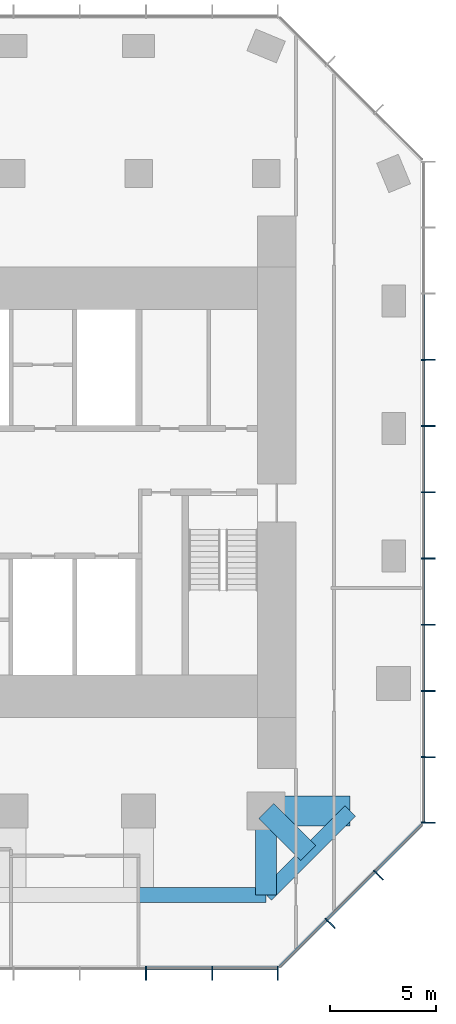
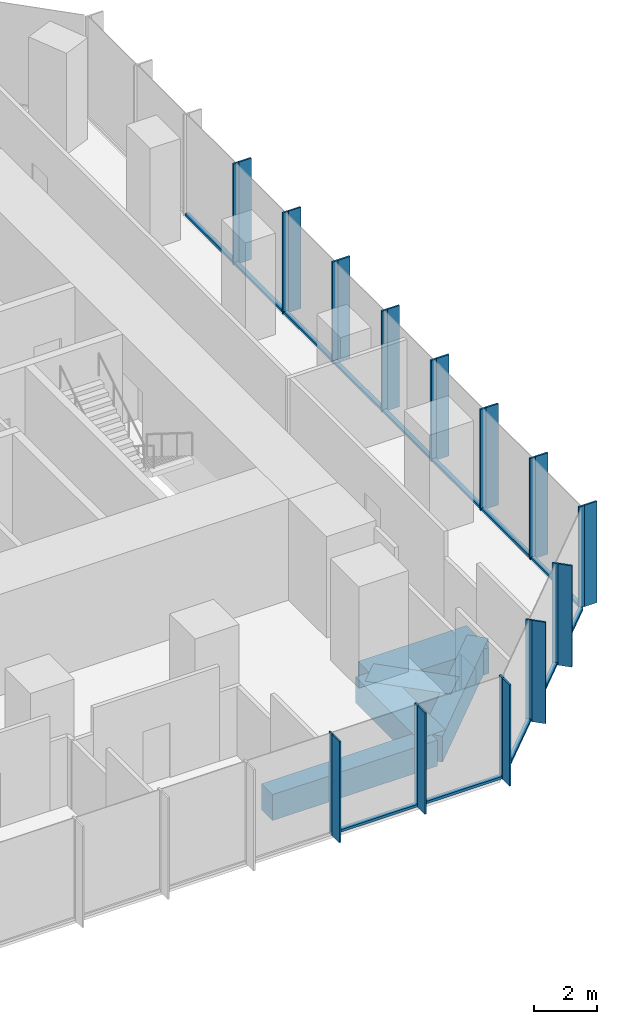
# One storey, part 4 of 11: 39 members, 5 beams, 3 elements without a shape of their own.
"""IFC4 building model written with IfcOpenShell, lengths in metres."""

from ifc_helpers import new_model, si_unit, direction, frame, origin, origin_2d, place, context, subcontext, project, spatial, rectangle, extrude, material, layer, layer_set, material_profile, profile_set, type_object, element, aggregate, save


model = new_model("IFC4")

# Units and contexts
model_context = context("Model", 3, precision=1e-05, world=origin(), true_north=direction((0.0, 1.0)))
body_context = subcontext(model_context, "Body", "Model", "MODEL_VIEW")
ifc_project = project(units=[si_unit("LENGTHUNIT", "METRE"), si_unit("AREAUNIT", "SQUARE_METRE"), si_unit("VOLUMEUNIT", "CUBIC_METRE"), si_unit("PLANEANGLEUNIT", "RADIAN"), si_unit("MASSUNIT", "GRAM", prefix="KILO")], contexts=[model_context])

# Site, building, storey
site_placement = place(None, origin())
site = spatial("IfcSite", under=ifc_project, at=site_placement, CompositionType="ELEMENT")
building_placement = place(site_placement, origin())
building = spatial("IfcBuilding", under=site, at=building_placement, Name="Highveld Stack Headquarters", CompositionType="ELEMENT")
storey_placement = place(building_placement, frame((0.0, 0.0, 224.0)))
storey = spatial("IfcBuildingStorey", under=building, at=storey_placement, Name="L55", CompositionType="ELEMENT", Elevation=224.0)

# Beams
ifc_material_1 = material(Name="Concrete C60/75", Category="concrete")
ifc_material_profile_1 = material_profile(ifc_material_1, rectangle(XDim=1.0, YDim=1.0, at=origin_2d()), Name="RC 1000x1000")
ifc_profile_set_1 = profile_set([ifc_material_profile_1], Name="Concrete C60/75")
beam_type_1 = type_object("IfcBeamType", Name="CANTILEVER RIB RC 1000x1000", PredefinedType="USERDEFINED", material=ifc_profile_set_1)
beam_1_placement = place(storey_placement, frame((18.0, -12.0, -0.75), z_axis=(0.0, -1.0, 0.0), x_axis=(1.0, 0.0, 0.0)))
element("IfcBeam", 1, at=beam_1_placement, inside=storey, type_object=beam_type_1, Name="Cantilever rib 9/C L55", ObjectType="CANTILEVER RIB", PredefinedType="USERDEFINED", context=body_context, shape_type="SweptSolid", body=[
    extrude(rectangle(XDim=1.0, YDim=1.0, at=origin_2d()), origin(), (0.0, 0.0, 1.0), 3.949951171875),
])
beam_2_placement = place(storey_placement, frame((18.0, -12.0, -0.75), z_axis=(0.707106781187, -0.707106781187, 0.0), x_axis=(0.707106781187, 0.707106781187, 0.0)))
element("IfcBeam", 2, at=beam_2_placement, inside=storey, type_object=beam_type_1, Name="Cantilever rib 9/C L55", ObjectType="CANTILEVER RIB", PredefinedType="USERDEFINED", context=body_context, shape_type="SweptSolid", body=[
    extrude(rectangle(XDim=1.0, YDim=1.0, at=origin_2d()), origin(), (0.0, 0.0, 1.0), 2.793212890625),
])
ifc_material_2 = material(Name="Concrete C60/75", Category="concrete")
ifc_material_profile_2 = material_profile(ifc_material_2, rectangle(XDim=1.39990234375, YDim=1.0, at=origin_2d()), Name="RC 1400x1000")
ifc_profile_set_2 = profile_set([ifc_material_profile_2], Name="Concrete C60/75")
beam_type_2 = type_object("IfcBeamType", Name="CANTILEVER RIB RC 1400x1000", PredefinedType="USERDEFINED", material=ifc_profile_set_2)
beam_3_placement = place(storey_placement, frame((18.0, -12.0, -0.75), z_axis=(1.0, 0.0, 0.0), x_axis=(0.0, 1.0, 0.0)))
element("IfcBeam", 3, at=beam_3_placement, inside=storey, type_object=beam_type_2, Name="Cantilever rib 9/C L55", ObjectType="CANTILEVER RIB", PredefinedType="USERDEFINED", context=body_context, shape_type="SweptSolid", body=[
    extrude(rectangle(XDim=1.39990234375, YDim=1.0, at=origin_2d()), origin(), (0.0, 0.0, 1.0), 3.949951171875),
])

# Curtain wall, members
ifc_material_3 = material(Name="Aluminium bronze anodised", Category="aluminium")
ifc_layer_1 = layer(ifc_material_3, 0.199951171875)
ifc_layer_set_1 = layer_set([ifc_layer_1], Name="Aluminium bronze anodised")
curtain_wall_type_1 = type_object("IfcCurtainWallType", Name="CW1 TOWER UNITISED CURTAIN WALL", PredefinedType="NOTDEFINED", material=ifc_layer_set_1)
curtain_wall_1_placement = place(storey_placement, origin())
curtain_wall_1 = element("IfcCurtainWall", 4, at=curtain_wall_1_placement, inside=storey, type_object=curtain_wall_type_1, Name="Curtain wall CW1 L55 S", PredefinedType="NOTDEFINED")
ifc_material_4 = material(Name="Aluminium bronze anodised", Category="aluminium")
ifc_material_profile_3 = material_profile(ifc_material_4, rectangle(XDim=0.449951171875, YDim=0.06005859375, at=origin_2d()), Name="FIN 450x60")
ifc_profile_set_3 = profile_set([ifc_material_profile_3], Name="Aluminium bronze anodised")
member_type_1 = type_object("IfcMemberType", Name="CW1 BRONZE FIN 450x60", PredefinedType="USERDEFINED", material=ifc_profile_set_3)
member_1_placement = place(storey_placement, frame((12.347900390625, -19.72509765625, 0.0), z_axis=(0.0, 0.0, 1.0), x_axis=(0.0, 1.0, 0.0)))
member_1 = element("IfcMember", 5, at=member_1_placement, type_object=member_type_1, Name="CW1 fin L55 9", ObjectType="FIN", PredefinedType="USERDEFINED", context=body_context, shape_type="SweptSolid", body=[
    extrude(rectangle(XDim=0.449951171875, YDim=0.06005859375, at=origin_2d()), origin(), (0.0, 0.0, 1.0), 3.89990234375),
])
member_2_placement = place(storey_placement, frame((15.4638671875, -19.72509765625, 0.0), z_axis=(0.0, 0.0, 1.0), x_axis=(0.0, 1.0, 0.0)))
member_2 = element("IfcMember", 6, at=member_2_placement, type_object=member_type_1, Name="CW1 fin L55 10", ObjectType="FIN", PredefinedType="USERDEFINED", context=body_context, shape_type="SweptSolid", body=[
    extrude(rectangle(XDim=0.449951171875, YDim=0.06005859375, at=origin_2d()), origin(), (0.0, 0.0, 1.0), 3.89990234375),
])
member_3_placement = place(storey_placement, frame((18.54736328125, -19.72509765625, 0.0), z_axis=(0.0, 0.0, 1.0), x_axis=(0.0, 1.0, 0.0)))
member_3 = element("IfcMember", 7, at=member_3_placement, type_object=member_type_1, Name="CW1 fin L55 11", ObjectType="FIN", PredefinedType="USERDEFINED", context=body_context, shape_type="SweptSolid", body=[
    extrude(rectangle(XDim=0.449951171875, YDim=0.06005859375, at=origin_2d()), origin(), (0.0, 0.0, 1.0), 3.89990234375),
])

curtain_wall_2_placement = place(storey_placement, origin())
curtain_wall_2 = element("IfcCurtainWall", 8, at=curtain_wall_2_placement, inside=storey, type_object=curtain_wall_type_1, Name="Curtain wall CW1 L55 E", PredefinedType="NOTDEFINED")
member_4_placement = place(storey_placement, frame((25.72509765625, -12.54736328125, 0.0), z_axis=(0.0, 0.0, 1.0), x_axis=(-1.0, 0.0, 0.0)))
member_4 = element("IfcMember", 9, at=member_4_placement, type_object=member_type_1, Name="CW1 fin L55 1", ObjectType="FIN", PredefinedType="USERDEFINED", context=body_context, shape_type="SweptSolid", body=[
    extrude(rectangle(XDim=0.449951171875, YDim=0.06005859375, at=origin_2d()), origin(), (0.0, 0.0, 1.0), 3.89990234375),
])
member_5_placement = place(storey_placement, frame((25.72509765625, -9.4638671875, 0.0), z_axis=(0.0, 0.0, 1.0), x_axis=(-1.0, 0.0, 0.0)))
member_5 = element("IfcMember", 10, at=member_5_placement, type_object=member_type_1, Name="CW1 fin L55 2", ObjectType="FIN", PredefinedType="USERDEFINED", context=body_context, shape_type="SweptSolid", body=[
    extrude(rectangle(XDim=0.449951171875, YDim=0.06005859375, at=origin_2d()), origin(), (0.0, 0.0, 1.0), 3.89990234375),
])
member_6_placement = place(storey_placement, frame((25.72509765625, -6.347900390625, 0.0), z_axis=(0.0, 0.0, 1.0), x_axis=(-1.0, 0.0, 0.0)))
member_6 = element("IfcMember", 11, at=member_6_placement, type_object=member_type_1, Name="CW1 fin L55 3", ObjectType="FIN", PredefinedType="USERDEFINED", context=body_context, shape_type="SweptSolid", body=[
    extrude(rectangle(XDim=0.449951171875, YDim=0.06005859375, at=origin_2d()), origin(), (0.0, 0.0, 1.0), 3.89990234375),
])
member_7_placement = place(storey_placement, frame((25.72509765625, -3.23193359375, 0.0), z_axis=(0.0, 0.0, 1.0), x_axis=(-1.0, 0.0, 0.0)))
member_7 = element("IfcMember", 12, at=member_7_placement, type_object=member_type_1, Name="CW1 fin L55 4", ObjectType="FIN", PredefinedType="USERDEFINED", context=body_context, shape_type="SweptSolid", body=[
    extrude(rectangle(XDim=0.449951171875, YDim=0.06005859375, at=origin_2d()), origin(), (0.0, 0.0, 1.0), 3.89990234375),
])
member_8_placement = place(storey_placement, frame((25.72509765625, -0.115966796875, 0.0), z_axis=(0.0, 0.0, 1.0), x_axis=(-1.0, 0.0, 0.0)))
member_8 = element("IfcMember", 13, at=member_8_placement, type_object=member_type_1, Name="CW1 fin L55 5", ObjectType="FIN", PredefinedType="USERDEFINED", context=body_context, shape_type="SweptSolid", body=[
    extrude(rectangle(XDim=0.449951171875, YDim=0.06005859375, at=origin_2d()), origin(), (0.0, 0.0, 1.0), 3.89990234375),
])
member_9_placement = place(storey_placement, frame((25.72509765625, 3.0, 0.0), z_axis=(0.0, 0.0, 1.0), x_axis=(-1.0, 0.0, 0.0)))
member_9 = element("IfcMember", 14, at=member_9_placement, type_object=member_type_1, Name="CW1 fin L55 6", ObjectType="FIN", PredefinedType="USERDEFINED", context=body_context, shape_type="SweptSolid", body=[
    extrude(rectangle(XDim=0.449951171875, YDim=0.06005859375, at=origin_2d()), origin(), (0.0, 0.0, 1.0), 3.89990234375),
])
member_10_placement = place(storey_placement, frame((25.72509765625, 6.115966796875, 0.0), z_axis=(0.0, 0.0, 1.0), x_axis=(-1.0, 0.0, 0.0)))
member_10 = element("IfcMember", 15, at=member_10_placement, type_object=member_type_1, Name="CW1 fin L55 7", ObjectType="FIN", PredefinedType="USERDEFINED", context=body_context, shape_type="SweptSolid", body=[
    extrude(rectangle(XDim=0.449951171875, YDim=0.06005859375, at=origin_2d()), origin(), (0.0, 0.0, 1.0), 3.89990234375),
])
member_11_placement = place(storey_placement, frame((25.72509765625, 9.23193359375, 0.0), z_axis=(0.0, 0.0, 1.0), x_axis=(-1.0, 0.0, 0.0)))
member_11 = element("IfcMember", 16, at=member_11_placement, type_object=member_type_1, Name="CW1 fin L55 8", ObjectType="FIN", PredefinedType="USERDEFINED", context=body_context, shape_type="SweptSolid", body=[
    extrude(rectangle(XDim=0.449951171875, YDim=0.06005859375, at=origin_2d()), origin(), (0.0, 0.0, 1.0), 3.89990234375),
])

# Member
ifc_material_5 = material(Name="Aluminium bronze anodised", Category="aluminium")
ifc_material_profile_4 = material_profile(ifc_material_5, rectangle(XDim=0.199951171875, YDim=0.06494140625, at=origin_2d()), Name="CW1 MULLION 65x200")
ifc_profile_set_4 = profile_set([ifc_material_profile_4], Name="Aluminium bronze anodised")
member_type_2 = type_object("IfcMemberType", Name="CW1 MULLION 65x200", PredefinedType="MULLION", material=ifc_profile_set_4)
member_12_placement = place(storey_placement, frame((12.347900390625, -19.39990234375, 0.0), z_axis=(0.0, 0.0, 1.0), x_axis=(0.0, 1.0, 0.0)))
member_12 = element("IfcMember", 17, at=member_12_placement, type_object=member_type_2, Name="CW1 mullion L55 9", PredefinedType="MULLION", context=body_context, shape_type="SweptSolid", body=[
    extrude(rectangle(XDim=0.199951171875, YDim=0.06494140625, at=origin_2d()), origin(), (0.0, 0.0, 1.0), 3.89990234375),
])

member_13_placement = place(storey_placement, frame((15.4638671875, -19.39990234375, 0.0), z_axis=(0.0, 0.0, 1.0), x_axis=(0.0, 1.0, 0.0)))
member_13 = element("IfcMember", 18, at=member_13_placement, type_object=member_type_2, Name="CW1 mullion L55 10", PredefinedType="MULLION", context=body_context, shape_type="SweptSolid", body=[
    extrude(rectangle(XDim=0.199951171875, YDim=0.06494140625, at=origin_2d()), origin(), (0.0, 0.0, 1.0), 3.89990234375),
])

member_14_placement = place(storey_placement, frame((18.54736328125, -19.39990234375, 0.0), z_axis=(0.0, 0.0, 1.0), x_axis=(0.0, 1.0, 0.0)))
member_14 = element("IfcMember", 19, at=member_14_placement, type_object=member_type_2, Name="CW1 mullion L55 11", PredefinedType="MULLION", context=body_context, shape_type="SweptSolid", body=[
    extrude(rectangle(XDim=0.199951171875, YDim=0.06494140625, at=origin_2d()), origin(), (0.0, 0.0, 1.0), 3.89990234375),
])

member_15_placement = place(storey_placement, frame((25.39990234375, -12.54736328125, 0.0), z_axis=(0.0, 0.0, 1.0), x_axis=(-1.0, 0.0, 0.0)))
member_15 = element("IfcMember", 20, at=member_15_placement, type_object=member_type_2, Name="CW1 mullion L55 1", PredefinedType="MULLION", context=body_context, shape_type="SweptSolid", body=[
    extrude(rectangle(XDim=0.199951171875, YDim=0.06494140625, at=origin_2d()), origin(), (0.0, 0.0, 1.0), 3.89990234375),
])

member_16_placement = place(storey_placement, frame((25.39990234375, -9.4638671875, 0.0), z_axis=(0.0, 0.0, 1.0), x_axis=(-1.0, 0.0, 0.0)))
member_16 = element("IfcMember", 21, at=member_16_placement, type_object=member_type_2, Name="CW1 mullion L55 2", PredefinedType="MULLION", context=body_context, shape_type="SweptSolid", body=[
    extrude(rectangle(XDim=0.199951171875, YDim=0.06494140625, at=origin_2d()), origin(), (0.0, 0.0, 1.0), 3.89990234375),
])

member_17_placement = place(storey_placement, frame((25.39990234375, -6.347900390625, 0.0), z_axis=(0.0, 0.0, 1.0), x_axis=(-1.0, 0.0, 0.0)))
member_17 = element("IfcMember", 22, at=member_17_placement, type_object=member_type_2, Name="CW1 mullion L55 3", PredefinedType="MULLION", context=body_context, shape_type="SweptSolid", body=[
    extrude(rectangle(XDim=0.199951171875, YDim=0.06494140625, at=origin_2d()), origin(), (0.0, 0.0, 1.0), 3.89990234375),
])

member_18_placement = place(storey_placement, frame((25.39990234375, -3.23193359375, 0.0), z_axis=(0.0, 0.0, 1.0), x_axis=(-1.0, 0.0, 0.0)))
member_18 = element("IfcMember", 23, at=member_18_placement, type_object=member_type_2, Name="CW1 mullion L55 4", PredefinedType="MULLION", context=body_context, shape_type="SweptSolid", body=[
    extrude(rectangle(XDim=0.199951171875, YDim=0.06494140625, at=origin_2d()), origin(), (0.0, 0.0, 1.0), 3.89990234375),
])

member_19_placement = place(storey_placement, frame((25.39990234375, -0.115966796875, 0.0), z_axis=(0.0, 0.0, 1.0), x_axis=(-1.0, 0.0, 0.0)))
member_19 = element("IfcMember", 24, at=member_19_placement, type_object=member_type_2, Name="CW1 mullion L55 5", PredefinedType="MULLION", context=body_context, shape_type="SweptSolid", body=[
    extrude(rectangle(XDim=0.199951171875, YDim=0.06494140625, at=origin_2d()), origin(), (0.0, 0.0, 1.0), 3.89990234375),
])

member_20_placement = place(storey_placement, frame((25.39990234375, 3.0, 0.0), z_axis=(0.0, 0.0, 1.0), x_axis=(-1.0, 0.0, 0.0)))
member_20 = element("IfcMember", 25, at=member_20_placement, type_object=member_type_2, Name="CW1 mullion L55 6", PredefinedType="MULLION", context=body_context, shape_type="SweptSolid", body=[
    extrude(rectangle(XDim=0.199951171875, YDim=0.06494140625, at=origin_2d()), origin(), (0.0, 0.0, 1.0), 3.89990234375),
])

member_21_placement = place(storey_placement, frame((25.39990234375, 6.115966796875, 0.0), z_axis=(0.0, 0.0, 1.0), x_axis=(-1.0, 0.0, 0.0)))
member_21 = element("IfcMember", 26, at=member_21_placement, type_object=member_type_2, Name="CW1 mullion L55 7", PredefinedType="MULLION", context=body_context, shape_type="SweptSolid", body=[
    extrude(rectangle(XDim=0.199951171875, YDim=0.06494140625, at=origin_2d()), origin(), (0.0, 0.0, 1.0), 3.89990234375),
])

member_22_placement = place(storey_placement, frame((25.39990234375, 9.23193359375, 0.0), z_axis=(0.0, 0.0, 1.0), x_axis=(-1.0, 0.0, 0.0)))
member_22 = element("IfcMember", 27, at=member_22_placement, type_object=member_type_2, Name="CW1 mullion L55 8", PredefinedType="MULLION", context=body_context, shape_type="SweptSolid", body=[
    extrude(rectangle(XDim=0.199951171875, YDim=0.06494140625, at=origin_2d()), origin(), (0.0, 0.0, 1.0), 3.89990234375),
])

ifc_material_6 = material(Name="Aluminium bronze anodised", Category="aluminium")
ifc_material_profile_5 = material_profile(ifc_material_6, rectangle(XDim=0.14990234375, YDim=0.10009765625, at=origin_2d()), Name="CW1 TRANSOM 150x100")
ifc_profile_set_5 = profile_set([ifc_material_profile_5], Name="Aluminium bronze anodised")
member_type_3 = type_object("IfcMemberType", Name="CW1 STACK TRANSOM 150x100", PredefinedType="USERDEFINED", material=ifc_profile_set_5)
member_23_placement = place(storey_placement, frame((12.38037109375, -19.39990234375, 0.050048828125), z_axis=(1.0, 0.0, 0.0), x_axis=(0.0, 1.0, 0.0)))
member_23 = element("IfcMember", 28, at=member_23_placement, type_object=member_type_3, Name="CW1 transom L55 9.1", ObjectType="TRANSOM", PredefinedType="USERDEFINED", context=body_context, shape_type="SweptSolid", body=[
    extrude(rectangle(XDim=0.14990234375, YDim=0.10009765625, at=origin_2d()), origin(), (0.0, 0.0, 1.0), 3.051025390625),
])

member_24_placement = place(storey_placement, frame((15.496337890625, -19.39990234375, 0.050048828125), z_axis=(1.0, 0.0, 0.0), x_axis=(0.0, 1.0, 0.0)))
member_24 = element("IfcMember", 29, at=member_24_placement, type_object=member_type_3, Name="CW1 transom L55 10.1", ObjectType="TRANSOM", PredefinedType="USERDEFINED", context=body_context, shape_type="SweptSolid", body=[
    extrude(rectangle(XDim=0.14990234375, YDim=0.10009765625, at=origin_2d()), origin(), (0.0, 0.0, 1.0), 3.0185546875),
])

aggregate(curtain_wall_1, [member_12, member_1, member_13, member_2, member_14, member_3, member_23, member_24])

member_25_placement = place(storey_placement, frame((25.39990234375, -12.514892578125, 0.050048828125), z_axis=(0.0, 1.0, 0.0), x_axis=(-1.0, 0.0, 0.0)))
member_25 = element("IfcMember", 30, at=member_25_placement, type_object=member_type_3, Name="CW1 transom L55 1.1", ObjectType="TRANSOM", PredefinedType="USERDEFINED", context=body_context, shape_type="SweptSolid", body=[
    extrude(rectangle(XDim=0.14990234375, YDim=0.10009765625, at=origin_2d()), origin(), (0.0, 0.0, 1.0), 3.0185546875),
])

member_26_placement = place(storey_placement, frame((25.39990234375, -9.431396484375, 0.050048828125), z_axis=(0.0, 1.0, 0.0), x_axis=(-1.0, 0.0, 0.0)))
member_26 = element("IfcMember", 31, at=member_26_placement, type_object=member_type_3, Name="CW1 transom L55 2.1", ObjectType="TRANSOM", PredefinedType="USERDEFINED", context=body_context, shape_type="SweptSolid", body=[
    extrude(rectangle(XDim=0.14990234375, YDim=0.10009765625, at=origin_2d()), origin(), (0.0, 0.0, 1.0), 3.051025390625),
])

member_27_placement = place(storey_placement, frame((25.39990234375, -6.3154296875, 0.050048828125), z_axis=(0.0, 1.0, 0.0), x_axis=(-1.0, 0.0, 0.0)))
member_27 = element("IfcMember", 32, at=member_27_placement, type_object=member_type_3, Name="CW1 transom L55 3.1", ObjectType="TRANSOM", PredefinedType="USERDEFINED", context=body_context, shape_type="SweptSolid", body=[
    extrude(rectangle(XDim=0.14990234375, YDim=0.10009765625, at=origin_2d()), origin(), (0.0, 0.0, 1.0), 3.051025390625),
])

member_28_placement = place(storey_placement, frame((25.39990234375, -3.199462890625, 0.050048828125), z_axis=(0.0, 1.0, 0.0), x_axis=(-1.0, 0.0, 0.0)))
member_28 = element("IfcMember", 33, at=member_28_placement, type_object=member_type_3, Name="CW1 transom L55 4.1", ObjectType="TRANSOM", PredefinedType="USERDEFINED", context=body_context, shape_type="SweptSolid", body=[
    extrude(rectangle(XDim=0.14990234375, YDim=0.10009765625, at=origin_2d()), origin(), (0.0, 0.0, 1.0), 3.051025390625),
])

member_29_placement = place(storey_placement, frame((25.39990234375, -0.08349609375, 0.050048828125), z_axis=(0.0, 1.0, 0.0), x_axis=(-1.0, 0.0, 0.0)))
member_29 = element("IfcMember", 34, at=member_29_placement, type_object=member_type_3, Name="CW1 transom L55 5.1", ObjectType="TRANSOM", PredefinedType="USERDEFINED", context=body_context, shape_type="SweptSolid", body=[
    extrude(rectangle(XDim=0.14990234375, YDim=0.10009765625, at=origin_2d()), origin(), (0.0, 0.0, 1.0), 3.051025390625),
])

member_30_placement = place(storey_placement, frame((25.39990234375, 3.032470703125, 0.050048828125), z_axis=(0.0, 1.0, 0.0), x_axis=(-1.0, 0.0, 0.0)))
member_30 = element("IfcMember", 35, at=member_30_placement, type_object=member_type_3, Name="CW1 transom L55 6.1", ObjectType="TRANSOM", PredefinedType="USERDEFINED", context=body_context, shape_type="SweptSolid", body=[
    extrude(rectangle(XDim=0.14990234375, YDim=0.10009765625, at=origin_2d()), origin(), (0.0, 0.0, 1.0), 3.051025390625),
])

member_31_placement = place(storey_placement, frame((25.39990234375, 6.1484375, 0.050048828125), z_axis=(0.0, 1.0, 0.0), x_axis=(-1.0, 0.0, 0.0)))
member_31 = element("IfcMember", 36, at=member_31_placement, type_object=member_type_3, Name="CW1 transom L55 7.1", ObjectType="TRANSOM", PredefinedType="USERDEFINED", context=body_context, shape_type="SweptSolid", body=[
    extrude(rectangle(XDim=0.14990234375, YDim=0.10009765625, at=origin_2d()), origin(), (0.0, 0.0, 1.0), 3.051025390625),
])

member_32_placement = place(storey_placement, frame((25.39990234375, 9.264404296875, 0.050048828125), z_axis=(0.0, 1.0, 0.0), x_axis=(-1.0, 0.0, 0.0)))
member_32 = element("IfcMember", 37, at=member_32_placement, type_object=member_type_3, Name="CW1 transom L55 8.1", ObjectType="TRANSOM", PredefinedType="USERDEFINED", context=body_context, shape_type="SweptSolid", body=[
    extrude(rectangle(XDim=0.14990234375, YDim=0.10009765625, at=origin_2d()), origin(), (0.0, 0.0, 1.0), 3.051025390625),
])

aggregate(curtain_wall_2, [member_15, member_4, member_16, member_5, member_17, member_6, member_18, member_7, member_19, member_8, member_20, member_9, member_21, member_10, member_22, member_11, member_25, member_26, member_27, member_28, member_29, member_30, member_31, member_32])

# Curtain wall, members
ifc_material_7 = material(Name="Aluminium bronze anodised", Category="aluminium")
ifc_layer_2 = layer(ifc_material_7, 0.199951171875)
ifc_layer_set_2 = layer_set([ifc_layer_2], Name="Aluminium bronze anodised")
curtain_wall_type_2 = type_object("IfcCurtainWallType", Name="CW2 TOWER CHAMFER UNITISED CURTAIN WALL", PredefinedType="NOTDEFINED", material=ifc_layer_set_2)
curtain_wall_3_placement = place(storey_placement, origin())
curtain_wall_3 = element("IfcCurtainWall", 38, at=curtain_wall_3_placement, inside=storey, type_object=curtain_wall_type_2, Name="Curtain wall CW2 L55 SE", PredefinedType="NOTDEFINED")
ifc_material_8 = material(Name="Aluminium bronze anodised", Category="aluminium")
ifc_material_profile_6 = material_profile(ifc_material_8, rectangle(XDim=0.449951171875, YDim=0.06005859375, at=origin_2d()), Name="FIN 450x60")
ifc_profile_set_6 = profile_set([ifc_material_profile_6], Name="Aluminium bronze anodised")
member_type_4 = type_object("IfcMemberType", Name="CW2 BRONZE FIN 450x60", PredefinedType="USERDEFINED", material=ifc_profile_set_6)
member_33_placement = place(storey_placement, frame((21.0830078125, -17.3564453125, 0.0), z_axis=(0.0, 0.0, 1.0), x_axis=(-0.707106781187, 0.707106781187, 0.0)))
member_33 = element("IfcMember", 39, at=member_33_placement, type_object=member_type_4, Name="CW2 fin L55 1", ObjectType="FIN", PredefinedType="USERDEFINED", context=body_context, shape_type="SweptSolid", body=[
    extrude(rectangle(XDim=0.449951171875, YDim=0.06005859375, at=origin_2d()), origin(), (0.0, 0.0, 1.0), 3.89990234375),
])
member_34_placement = place(storey_placement, frame((23.3564453125, -15.0830078125, 0.0), z_axis=(0.0, 0.0, 1.0), x_axis=(-0.707106781187, 0.707106781187, 0.0)))
member_34 = element("IfcMember", 40, at=member_34_placement, type_object=member_type_4, Name="CW2 fin L55 2", ObjectType="FIN", PredefinedType="USERDEFINED", context=body_context, shape_type="SweptSolid", body=[
    extrude(rectangle(XDim=0.449951171875, YDim=0.06005859375, at=origin_2d()), origin(), (0.0, 0.0, 1.0), 3.89990234375),
])
ifc_material_9 = material(Name="Aluminium bronze anodised", Category="aluminium")
ifc_material_profile_7 = material_profile(ifc_material_9, rectangle(XDim=0.199951171875, YDim=0.06494140625, at=origin_2d()), Name="CW2 MULLION 65x200")
ifc_profile_set_7 = profile_set([ifc_material_profile_7], Name="Aluminium bronze anodised")
member_type_5 = type_object("IfcMemberType", Name="CW2 MULLION 65x200", PredefinedType="MULLION", material=ifc_profile_set_7)
member_35_placement = place(storey_placement, frame((20.853271484375, -17.126708984375, 0.0), z_axis=(0.0, 0.0, 1.0), x_axis=(-0.707106781187, 0.707106781187, 0.0)))
member_35 = element("IfcMember", 41, at=member_35_placement, type_object=member_type_5, Name="CW2 mullion L55 1", PredefinedType="MULLION", context=body_context, shape_type="SweptSolid", body=[
    extrude(rectangle(XDim=0.199951171875, YDim=0.06494140625, at=origin_2d()), origin(), (0.0, 0.0, 1.0), 3.89990234375),
])
member_36_placement = place(storey_placement, frame((23.126708984375, -14.853271484375, 0.0), z_axis=(0.0, 0.0, 1.0), x_axis=(-0.707106781187, 0.707106781187, 0.0)))
member_36 = element("IfcMember", 42, at=member_36_placement, type_object=member_type_5, Name="CW2 mullion L55 2", PredefinedType="MULLION", context=body_context, shape_type="SweptSolid", body=[
    extrude(rectangle(XDim=0.199951171875, YDim=0.06494140625, at=origin_2d()), origin(), (0.0, 0.0, 1.0), 3.89990234375),
])
ifc_material_10 = material(Name="Aluminium bronze anodised", Category="aluminium")
ifc_material_profile_8 = material_profile(ifc_material_10, rectangle(XDim=0.14990234375, YDim=0.10009765625, at=origin_2d()), Name="CW2 TRANSOM 150x100")
ifc_profile_set_8 = profile_set([ifc_material_profile_8], Name="Aluminium bronze anodised")
member_type_6 = type_object("IfcMemberType", Name="CW2 STACK TRANSOM 150x100", PredefinedType="USERDEFINED", material=ifc_profile_set_8)
member_37_placement = place(storey_placement, frame((18.650634765625, -19.329345703125, 0.050048828125), z_axis=(0.707106781187, 0.707106781187, 0.0), x_axis=(-0.707106781187, 0.707106781187, 0.0)))
member_37 = element("IfcMember", 43, at=member_37_placement, type_object=member_type_6, Name="CW2 transom L55 1.1", ObjectType="TRANSOM", PredefinedType="USERDEFINED", context=body_context, shape_type="SweptSolid", body=[
    extrude(rectangle(XDim=0.14990234375, YDim=0.10009765625, at=origin_2d()), origin(), (0.0, 0.0, 1.0), 3.08251953125),
])
member_38_placement = place(storey_placement, frame((20.876220703125, -17.103759765625, 0.050048828125), z_axis=(0.707106781187, 0.707106781187, 0.0), x_axis=(-0.707106781187, 0.707106781187, 0.0)))
member_38 = element("IfcMember", 44, at=member_38_placement, type_object=member_type_6, Name="CW2 transom L55 2.1", ObjectType="TRANSOM", PredefinedType="USERDEFINED", context=body_context, shape_type="SweptSolid", body=[
    extrude(rectangle(XDim=0.14990234375, YDim=0.10009765625, at=origin_2d()), origin(), (0.0, 0.0, 1.0), 3.150146484375),
])
member_39_placement = place(storey_placement, frame((23.149658203125, -14.830322265625, 0.050048828125), z_axis=(0.707106781187, 0.707106781187, 0.0), x_axis=(-0.707106781187, 0.707106781187, 0.0)))
member_39 = element("IfcMember", 45, at=member_39_placement, type_object=member_type_6, Name="CW2 transom L55 3.1", ObjectType="TRANSOM", PredefinedType="USERDEFINED", context=body_context, shape_type="SweptSolid", body=[
    extrude(rectangle(XDim=0.14990234375, YDim=0.10009765625, at=origin_2d()), origin(), (0.0, 0.0, 1.0), 3.08251953125),
])
aggregate(curtain_wall_3, [member_35, member_33, member_36, member_34, member_37, member_38, member_39])

# Beams
ifc_material_11 = material(Name="Concrete C60/75", Category="concrete")
ifc_material_profile_9 = material_profile(ifc_material_11, rectangle(XDim=0.699951171875, YDim=1.0, at=origin_2d()), Name="RC 700x1000")
ifc_profile_set_9 = profile_set([ifc_material_profile_9], Name="Concrete C60/75")
beam_type_3 = type_object("IfcBeamType", Name="RIB TIP BEAM RC 700x1000", PredefinedType="SPANDREL", material=ifc_profile_set_9)
beam_4_placement = place(storey_placement, frame((12.0, -15.949951171875, -0.75), z_axis=(1.0, 0.0, 0.0), x_axis=(0.0, 1.0, 0.0)))
element("IfcBeam", 46, at=beam_4_placement, inside=storey, type_object=beam_type_3, Name="Rib tip beam 8/C to 9/C L55", PredefinedType="SPANDREL", context=body_context, shape_type="SweptSolid", body=[
    extrude(rectangle(XDim=0.699951171875, YDim=1.0, at=origin_2d()), origin(), (0.0, 0.0, 1.0), 6.0),
])
beam_5_placement = place(storey_placement, frame((21.949951171875, -12.0, -0.75), z_axis=(-0.707106781187, -0.707106781187, 0.0), x_axis=(0.707106781187, -0.707106781187, 0.0)))
element("IfcBeam", 47, at=beam_5_placement, inside=storey, type_object=beam_type_3, Name="Rib tip beam 9/C corner L55", PredefinedType="SPANDREL", context=body_context, shape_type="SweptSolid", body=[
    extrude(rectangle(XDim=0.699951171875, YDim=1.0, at=origin_2d()), origin(), (0.0, 0.0, 1.0), 5.586181640625),
])

save(model, "model.ifc")
